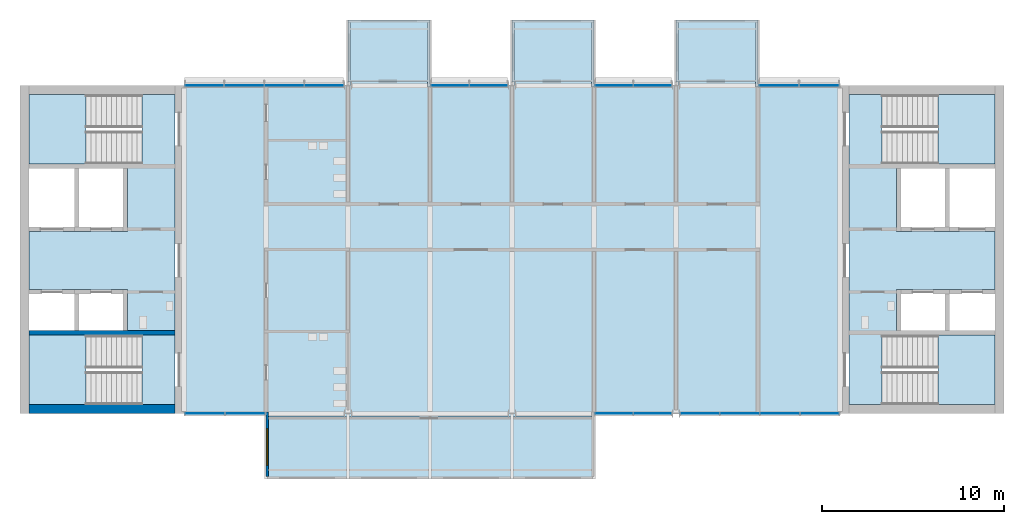
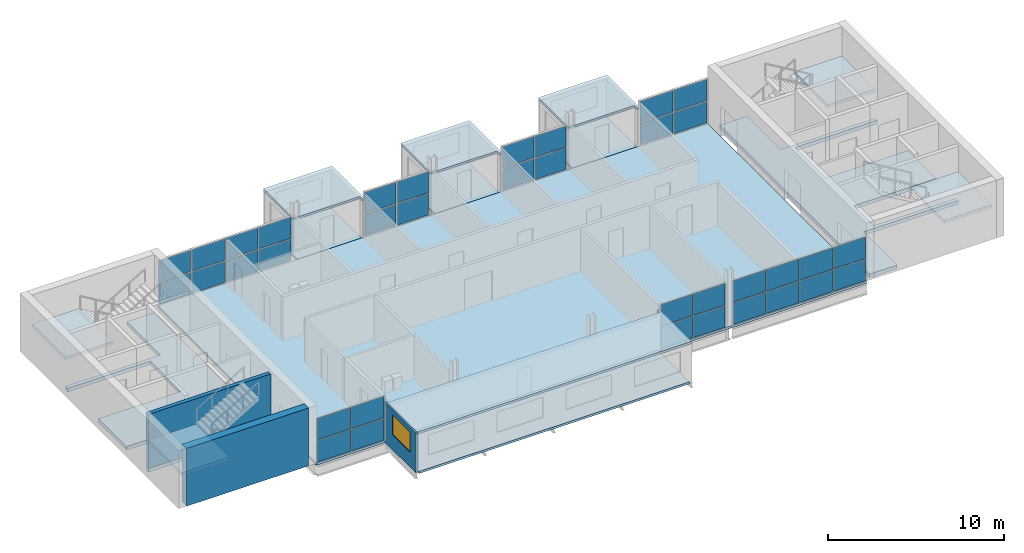
# One storey, part 4 of 11: 36 plates, 15 slabs, 3 walls, 1 window, 1 opening, 11 elements without a shape of their own.
"""IFC4 building model written with IfcOpenShell, lengths in metres."""

import ifcopenshell
import ifcopenshell.guid

model = None  # the IFC model being written
_history = None  # IfcOwnerHistory: only IFC2X3 demands one
_inside = {}  # id of a spatial element -> (the spatial element, [elements in it])
_under = {}  # id of a project, library or spatial element -> (it, [spatial elements below it])
_declared = {}  # id of a project -> (the project, [libraries it declares])
_typed = {}  # id of a type object -> (the type object, [elements of that type])
_made_of = {}  # id of a material, layer set ... -> (it, [elements and type objects made of it])


def new_model(schema):
    """Start an empty IFC model of exactly this schema.

    Asked for "IFC4X3", IfcOpenShell would pick the latest addendum, in which some entities
    have other attributes; the version numbers below select the first issue.
    IFC2X3 requires an IfcOwnerHistory on every rooted entity: one is made here for all.
    """
    global model, _history
    if schema == "IFC4X3":
        model = ifcopenshell.file(schema_version=(4, 3, 0, 0))
    else:
        model = ifcopenshell.file(schema=schema)
    _inside.clear()
    _under.clear()
    _declared.clear()
    _typed.clear()
    _made_of.clear()
    _history = None
    if model.schema == "IFC2X3":
        org = make("IfcOrganization", Name="unknown")
        user = make(
            "IfcPersonAndOrganization",
            ThePerson=make("IfcPerson", FamilyName="unknown"),
            TheOrganization=org,
        )
        app = make(
            "IfcApplication",
            ApplicationDeveloper=org,
            Version="unknown",
            ApplicationFullName="unknown",
            ApplicationIdentifier="unknown",
        )
        _history = make(
            "IfcOwnerHistory",
            OwningUser=user,
            OwningApplication=app,
            ChangeAction="ADDED",
            CreationDate=0,
        )
    return model


def make(cls, **values):
    """One entity of the class cls with the attributes given. An attribute that is None is left unset."""
    return model.create_entity(
        cls, **{name: value for name, value in values.items() if value is not None}
    )


def rooted(cls, **values):
    """An entity with a GlobalId (a new one), such as an element, a storey or a relation."""
    return make(cls, GlobalId=ifcopenshell.guid.new(), OwnerHistory=_history, **values)


def si_unit(unit_type, name, prefix=None):
    """IfcSIUnit, for example si_unit("LENGTHUNIT", "METRE", prefix="MILLI")."""
    return make("IfcSIUnit", UnitType=unit_type, Prefix=prefix, Name=name)


def assignment(units):
    """IfcUnitAssignment: the units of a project."""
    return None if units is None else make("IfcUnitAssignment", Units=units)


def point(xyz):
    """IfcCartesianPoint."""
    return None if xyz is None else make("IfcCartesianPoint", Coordinates=xyz)


def direction(xyz):
    """IfcDirection."""
    return None if xyz is None else make("IfcDirection", DirectionRatios=xyz)


def frame(location, z_axis=None, x_axis=None):
    """IfcAxis2Placement3D, a coordinate frame: its origin and axes. An axis left out is left unset."""
    return make(
        "IfcAxis2Placement3D",
        Location=point(location),
        Axis=direction(z_axis),
        RefDirection=direction(x_axis),
    )


def frame_2d(location, x_axis=None):
    """IfcAxis2Placement2D, a coordinate frame in the plane: its origin and x axis."""
    return make(
        "IfcAxis2Placement2D", Location=point(location), RefDirection=direction(x_axis)
    )


def origin():
    """The frame at (0, 0, 0) with its axes left unset."""
    return frame((0.0, 0.0, 0.0))


def origin_2d():
    """The frame at (0, 0) in the plane with its x axis left unset."""
    return frame_2d((0.0, 0.0))


def place(relative_to, where):
    """IfcLocalPlacement: puts the frame where relative to a parent placement (None: the world)."""
    return make(
        "IfcLocalPlacement", PlacementRelTo=relative_to, RelativePlacement=where
    )


def context(
    kind, dimensions, precision=None, world=None, true_north=None, identifier=None
):
    """IfcGeometricRepresentationContext, for example the 3D "Model" context."""
    return make(
        "IfcGeometricRepresentationContext",
        ContextIdentifier=identifier,
        ContextType=kind,
        CoordinateSpaceDimension=dimensions,
        Precision=precision,
        WorldCoordinateSystem=world,
        TrueNorth=true_north,
    )


def subcontext(parent, identifier, kind, view, scale=None):
    """IfcGeometricRepresentationSubContext, for example "Body" below "Model"."""
    return make(
        "IfcGeometricRepresentationSubContext",
        ContextIdentifier=identifier,
        ContextType=kind,
        ParentContext=parent,
        TargetScale=scale,
        TargetView=view,
    )


def project(units=None, contexts=None):
    """IfcProject with its units and contexts."""
    return rooted(
        "IfcProject",
        Name="project",
        RepresentationContexts=contexts,
        UnitsInContext=assignment(units),
    )


def spatial(cls, under=None, at=None, **own):
    """A site, building, storey or space (cls), placed at a placement, below another one or the project."""
    s = rooted(cls, ObjectPlacement=at, **own)
    if under is not None:
        _under.setdefault(under.id(), (under, []))[1].append(s)
    return s


def polyline(points):
    """IfcPolyline through the points."""
    return make("IfcPolyline", Points=[point(p) for p in points])


def profile(cls, at=None, kind="AREA", **sizes):
    """A parametric profile (cls). Its sizes go by their IFC names, for example OverallWidth=200.0."""
    return make(cls, ProfileType=kind, Position=at, **sizes)


def rectangle(**sizes):
    """IfcRectangleProfileDef."""
    return profile("IfcRectangleProfileDef", **sizes)


def outline(outer, holes=None, kind="AREA"):
    """IfcArbitraryClosedProfileDef: a profile drawn as a closed curve; with holes, ...WithVoids."""
    if holes is None:
        return make("IfcArbitraryClosedProfileDef", ProfileType=kind, OuterCurve=outer)
    return make(
        "IfcArbitraryProfileDefWithVoids",
        ProfileType=kind,
        OuterCurve=outer,
        InnerCurves=holes,
    )


def extrude(swept, where, along, depth):
    """IfcExtrudedAreaSolid: the profile swept, set in the frame where, extruded along a direction by depth."""
    return make(
        "IfcExtrudedAreaSolid",
        SweptArea=swept,
        Position=where,
        ExtrudedDirection=direction(along),
        Depth=depth,
    )


def shape(context_of_items, identifier, shape_type, items):
    """IfcShapeRepresentation: the items that make up one representation, for example the "Body"."""
    return make(
        "IfcShapeRepresentation",
        ContextOfItems=context_of_items,
        RepresentationIdentifier=identifier,
        RepresentationType=shape_type,
        Items=items,
    )


def material(Name=None, Category=None):
    """IfcMaterial."""
    return make("IfcMaterial", Name=Name, Category=Category)


def layer(
    of_material, thickness, ventilated=None, Name=None, Category=None, Priority=None
):
    """IfcMaterialLayer: one layer of a wall or slab, of a material (None: an air gap)."""
    return make(
        "IfcMaterialLayer",
        Material=of_material,
        LayerThickness=thickness,
        IsVentilated=ventilated,
        Name=Name,
        Category=Category,
        Priority=Priority,
    )


def layer_set(layers, Name=None):
    """IfcMaterialLayerSet."""
    return make("IfcMaterialLayerSet", MaterialLayers=layers, LayerSetName=Name)


def made_of(thing, what):
    """Note that an element or type object is made of a material, layer set ...; save() writes the relation."""
    if what is not None:
        _made_of.setdefault(what.id(), (what, []))[1].append(thing)
    return thing


def type_object(cls, material=None, **own):
    """A type object (cls), such as IfcWallType, which elements share."""
    return made_of(rooted(cls, **own), material)


def element(
    cls,
    number,
    at=None,
    inside=None,
    cuts=None,
    type_object=None,
    material=None,
    context=None,
    identifier="Body",
    shape_type=None,
    held_by="IfcProductDefinitionShape",
    body=None,
    shapes=None,
    **own,
):
    """One element of the class cls, such as IfcWall. Its Tag is "e" and its number.

    at: its placement. inside: the storey or other place that contains it. cuts: it is an
    opening in that element (IfcRelVoidsElement). A single representation is given by context,
    identifier, shape_type and body (its items); several are given by shapes. held_by: the class
    of the entity that holds the representations. save() writes the other relations.
    """
    e = rooted(cls, Tag="e%d" % number, ObjectPlacement=at, **own)
    if body is not None:
        shapes = [shape(context, identifier, shape_type, body)]
    if shapes is not None:
        e.Representation = make(held_by, Representations=shapes)
    if inside is not None:
        _inside.setdefault(inside.id(), (inside, []))[1].append(e)
    if cuts is not None:
        rooted(
            "IfcRelVoidsElement", RelatingBuildingElement=cuts, RelatedOpeningElement=e
        )
    if type_object is not None:
        _typed.setdefault(type_object.id(), (type_object, []))[1].append(e)
    return made_of(e, material)


def fill(opening, filler):
    """IfcRelFillsElement: the door or window that sits in an opening."""
    return rooted(
        "IfcRelFillsElement",
        RelatingOpeningElement=opening,
        RelatedBuildingElement=filler,
    )


def aggregate(whole, parts):
    """IfcRelAggregates: a whole, such as a stair, and the parts it consists of."""
    return rooted("IfcRelAggregates", RelatingObject=whole, RelatedObjects=parts)


def save(model, path):
    """Write the relations noted so far, then the file.

    IfcRelAggregates (storeys below a building ...), IfcRelContainedInSpatialStructure (elements
    in a storey), IfcRelDefinesByType, IfcRelAssociatesMaterial and IfcRelDeclares: one each for
    every whole, place, type object, material and project.
    """
    for whole, parts in _under.values():
        aggregate(whole, parts)
    for where, things in _inside.values():
        rooted(
            "IfcRelContainedInSpatialStructure",
            RelatedElements=things,
            RelatingStructure=where,
        )
    for kind, things in _typed.values():
        rooted("IfcRelDefinesByType", RelatedObjects=things, RelatingType=kind)
    for what, things in _made_of.values():
        rooted("IfcRelAssociatesMaterial", RelatedObjects=things, RelatingMaterial=what)
    for by, libraries in _declared.values():
        rooted("IfcRelDeclares", RelatingContext=by, RelatedDefinitions=libraries)
    model.write(path)


model = new_model("IFC4")

# Units and contexts
model_context = context("Model", 3, precision=1e-05, world=origin(), true_north=direction((0.0, 1.0)))
body_context = subcontext(model_context, "Body", "Model", "MODEL_VIEW")
ifc_project = project(units=[si_unit("LENGTHUNIT", "METRE"), si_unit("AREAUNIT", "SQUARE_METRE"), si_unit("VOLUMEUNIT", "CUBIC_METRE"), si_unit("PLANEANGLEUNIT", "RADIAN"), si_unit("MASSUNIT", "GRAM", prefix="KILO")], contexts=[model_context])

# Site, building, storey
site_placement = place(None, origin())
site = spatial("IfcSite", under=ifc_project, at=site_placement, CompositionType="ELEMENT")
building_placement = place(site_placement, origin())
building = spatial("IfcBuilding", under=site, at=building_placement, Name="Corbel Yard City Hall", CompositionType="ELEMENT")
storey_placement = place(building_placement, frame((0.0, 0.0, 39.199951171875)))
storey = spatial("IfcBuildingStorey", under=building, at=storey_placement, Name="L09", CompositionType="ELEMENT", Elevation=39.199951171875)

# Slabs
ifc_material_1 = material(Name="Concrete N40 (40 MPa)", Category="concrete")
ifc_layer_1 = layer(ifc_material_1, 0.25)
ifc_layer_set_1 = layer_set([ifc_layer_1], Name="Concrete N40 (40 MPa)")
slab_type_1 = type_object("IfcSlabType", Name="CF1", PredefinedType="FLOOR", material=ifc_layer_set_1)
slab_1_placement = place(storey_placement, frame((0.0, 0.0, -0.25)))
element("IfcSlab", 1, at=slab_1_placement, inside=storey, type_object=slab_type_1, Name="Core floor slab", PredefinedType="FLOOR", context=body_context, shape_type="SweptSolid", body=[
    extrude(outline(polyline([(8.5, 116.5), (6.698974609375, 116.5), (6.698974609375, 112.699951171875), (0.5, 112.699951171875), (0.5, 112.449951171875), (5.89990234375, 112.449951171875), (5.89990234375, 109.0), (0.5, 109.0), (0.5, 105.800048828125), (5.89990234375, 105.800048828125), (5.89990234375, 103.550048828125), (0.5, 103.550048828125), (0.5, 103.300048828125), (6.698974609375, 103.300048828125), (6.698974609375, 99.5), (8.5, 99.5), (8.5, 116.5)])), origin(), (0.0, 0.0, 1.0), 0.25),
])
slab_2_placement = place(storey_placement, frame((0.0, 0.0, -0.25)))
element("IfcSlab", 2, at=slab_2_placement, inside=storey, type_object=slab_type_1, Name="Core floor slab", PredefinedType="FLOOR", context=body_context, shape_type="SweptSolid", body=[
    extrude(outline(polyline([(53.5, 103.300048828125), (53.5, 103.550048828125), (48.10009765625, 103.550048828125), (48.10009765625, 105.800048828125), (53.5, 105.800048828125), (53.5, 109.0), (48.10009765625, 109.0), (48.10009765625, 112.449951171875), (53.5, 112.449951171875), (53.5, 112.699951171875), (47.301025390625, 112.699951171875), (47.301025390625, 116.5), (45.5, 116.5), (45.5, 99.5), (47.301025390625, 99.5), (47.301025390625, 103.300048828125), (53.5, 103.300048828125)])), origin(), (0.0, 0.0, 1.0), 0.25),
])
ifc_layer_2 = layer(ifc_material_1, 0.14990234375)
ifc_layer_set_2 = layer_set([ifc_layer_2], Name="Concrete N40 (40 MPa)")
slab_type_2 = type_object("IfcSlabType", Name="Floor slab 150", PredefinedType="FLOOR", material=ifc_layer_set_2)
slab_3_placement = place(storey_placement, frame((0.0, 0.0, -0.14990234375)))
element("IfcSlab", 3, at=slab_3_placement, inside=storey, type_object=slab_type_2, Name="Tower floor slab L09", PredefinedType="FLOOR", context=body_context, shape_type="SweptSolid", body=[
    extrude(outline(polyline([(45.0, 99.0), (45.0, 117.0), (9.0, 117.0), (9.0, 99.0), (45.0, 99.0)])), origin(), (0.0, 0.0, 1.0), 0.14990234375),
])

# Stair, slab
stair_type = type_object("IfcStairType", Name="ST4", PredefinedType="HALF_TURN_STAIR", material=ifc_material_1)
stair_1_placement = place(storey_placement, origin())
stair_1 = element("IfcStair", 4, at=stair_1_placement, inside=storey, type_object=stair_type, Name="Exit stair ST-W1 L09", PredefinedType="HALF_TURN_STAIR")
ifc_layer_3 = layer(ifc_material_1, 0.199951171875)
ifc_layer_set_3 = layer_set([ifc_layer_3], Name="Concrete N40 (40 MPa)")
slab_type_3 = type_object("IfcSlabType", Name="LN1", PredefinedType="LANDING", material=ifc_layer_set_3)
slab_4_placement = place(storey_placement, frame((0.0, 0.0, 1.800048828125)))
slab_4 = element("IfcSlab", 5, at=slab_4_placement, type_object=slab_type_3, Name="ST-W1 landing 1", PredefinedType="LANDING", context=body_context, shape_type="SweptSolid", body=[
    extrude(outline(polyline([(0.5, 99.5), (3.6201171875, 99.5), (3.6201171875, 103.300048828125), (0.5, 103.300048828125), (0.5, 99.5)])), origin(), (0.0, 0.0, 1.0), 0.199951171875),
])
aggregate(stair_1, [slab_4])

stair_2_placement = place(storey_placement, origin())
stair_2 = element("IfcStair", 6, at=stair_2_placement, inside=storey, type_object=stair_type, Name="Exit stair ST-W2 L09", PredefinedType="HALF_TURN_STAIR")
slab_5_placement = place(storey_placement, frame((0.0, 0.0, 1.800048828125)))
slab_5 = element("IfcSlab", 7, at=slab_5_placement, type_object=slab_type_3, Name="ST-W2 landing 1", PredefinedType="LANDING", context=body_context, shape_type="SweptSolid", body=[
    extrude(outline(polyline([(0.5, 112.699951171875), (3.6201171875, 112.699951171875), (3.6201171875, 116.5), (0.5, 116.5), (0.5, 112.699951171875)])), origin(), (0.0, 0.0, 1.0), 0.199951171875),
])
aggregate(stair_2, [slab_5])

stair_3_placement = place(storey_placement, origin())
stair_3 = element("IfcStair", 8, at=stair_3_placement, inside=storey, type_object=stair_type, Name="Exit stair ST-E1 L09", PredefinedType="HALF_TURN_STAIR")
slab_6_placement = place(storey_placement, frame((0.0, 0.0, 1.800048828125)))
slab_6 = element("IfcSlab", 9, at=slab_6_placement, type_object=slab_type_3, Name="ST-E1 landing 1", PredefinedType="LANDING", context=body_context, shape_type="SweptSolid", body=[
    extrude(outline(polyline([(50.3798828125, 99.5), (53.5, 99.5), (53.5, 103.300048828125), (50.3798828125, 103.300048828125), (50.3798828125, 99.5)])), origin(), (0.0, 0.0, 1.0), 0.199951171875),
])
aggregate(stair_3, [slab_6])

stair_4_placement = place(storey_placement, origin())
stair_4 = element("IfcStair", 10, at=stair_4_placement, inside=storey, type_object=stair_type, Name="Exit stair ST-E2 L09", PredefinedType="HALF_TURN_STAIR")
slab_7_placement = place(storey_placement, frame((0.0, 0.0, 1.800048828125)))
slab_7 = element("IfcSlab", 11, at=slab_7_placement, type_object=slab_type_3, Name="ST-E2 landing 1", PredefinedType="LANDING", context=body_context, shape_type="SweptSolid", body=[
    extrude(outline(polyline([(50.3798828125, 112.699951171875), (53.5, 112.699951171875), (53.5, 116.5), (50.3798828125, 116.5), (50.3798828125, 112.699951171875)])), origin(), (0.0, 0.0, 1.0), 0.199951171875),
])
aggregate(stair_4, [slab_7])

# Slabs
ifc_material_2 = material(Name="Concrete N32 (32 MPa)", Category="concrete")
ifc_layer_4 = layer(ifc_material_2, 0.14990234375)
ifc_layer_set_4 = layer_set([ifc_layer_4], Name="Concrete N32 (32 MPa)")
slab_type_4 = type_object("IfcSlabType", Name="PF1", PredefinedType="FLOOR", material=ifc_layer_set_4)
slab_8_placement = place(storey_placement, frame((0.0, 0.0, -0.14990234375)))
element("IfcSlab", 12, at=slab_8_placement, inside=storey, type_object=slab_type_4, Name="Pod floor slab L09", PredefinedType="FLOOR", context=body_context, shape_type="SweptSolid", body=[
    extrude(outline(polyline([(13.64990234375, 95.39990234375), (31.35009765625, 95.39990234375), (31.35009765625, 99.0), (13.64990234375, 99.0), (13.64990234375, 95.39990234375)])), origin(), (0.0, 0.0, 1.0), 0.14990234375),
])
slab_9_placement = place(storey_placement, frame((0.0, 0.0, -0.14990234375)))
element("IfcSlab", 13, at=slab_9_placement, inside=storey, type_object=slab_type_4, Name="Pod floor slab L09", PredefinedType="FLOOR", context=body_context, shape_type="SweptSolid", body=[
    extrude(outline(polyline([(18.14990234375, 117.0), (22.35009765625, 117.0), (22.35009765625, 120.60009765625), (18.14990234375, 120.60009765625), (18.14990234375, 117.0)])), origin(), (0.0, 0.0, 1.0), 0.14990234375),
])
slab_10_placement = place(storey_placement, frame((0.0, 0.0, -0.14990234375)))
element("IfcSlab", 14, at=slab_10_placement, inside=storey, type_object=slab_type_4, Name="Pod floor slab L09", PredefinedType="FLOOR", context=body_context, shape_type="SweptSolid", body=[
    extrude(outline(polyline([(27.14990234375, 117.0), (31.35009765625, 117.0), (31.35009765625, 120.60009765625), (27.14990234375, 120.60009765625), (27.14990234375, 117.0)])), origin(), (0.0, 0.0, 1.0), 0.14990234375),
])
slab_11_placement = place(storey_placement, frame((0.0, 0.0, -0.14990234375)))
element("IfcSlab", 15, at=slab_11_placement, inside=storey, type_object=slab_type_4, Name="Pod floor slab L09", PredefinedType="FLOOR", context=body_context, shape_type="SweptSolid", body=[
    extrude(outline(polyline([(36.14990234375, 117.0), (40.35009765625, 117.0), (40.35009765625, 120.60009765625), (36.14990234375, 120.60009765625), (36.14990234375, 117.0)])), origin(), (0.0, 0.0, 1.0), 0.14990234375),
])
ifc_layer_5 = layer(ifc_material_2, 0.14990234375)
ifc_layer_set_5 = layer_set([ifc_layer_5], Name="Concrete N32 (32 MPa)")
slab_type_5 = type_object("IfcSlabType", Name="PH1", PredefinedType="ROOF", material=ifc_layer_set_5)
slab_12_placement = place(storey_placement, frame((0.0, 0.0, 2.60009765625)))
element("IfcSlab", 16, at=slab_12_placement, inside=storey, type_object=slab_type_5, Name="Pod roof slab L09", PredefinedType="ROOF", context=body_context, shape_type="SweptSolid", body=[
    extrude(outline(polyline([(13.5, 95.39990234375), (31.5, 95.39990234375), (31.5, 99.074951171875), (31.35009765625, 99.074951171875), (31.35009765625, 98.800048828125), (13.64990234375, 98.800048828125), (13.64990234375, 99.074951171875), (13.5, 99.074951171875), (13.5, 95.39990234375)])), origin(), (0.0, 0.0, 1.0), 0.14990234375),
])
slab_13_placement = place(storey_placement, frame((0.0, 0.0, 2.60009765625)))
element("IfcSlab", 17, at=slab_13_placement, inside=storey, type_object=slab_type_5, Name="Pod roof slab L09", PredefinedType="ROOF", context=body_context, shape_type="SweptSolid", body=[
    extrude(outline(polyline([(18.0, 120.60009765625), (18.0, 117.199951171875), (22.35009765625, 117.199951171875), (22.35009765625, 116.909912109375), (22.5, 116.909912109375), (22.5, 120.60009765625), (18.0, 120.60009765625)])), origin(), (0.0, 0.0, 1.0), 0.14990234375),
])
slab_14_placement = place(storey_placement, frame((0.0, 0.0, 2.60009765625)))
element("IfcSlab", 18, at=slab_14_placement, inside=storey, type_object=slab_type_5, Name="Pod roof slab L09", PredefinedType="ROOF", context=body_context, shape_type="SweptSolid", body=[
    extrude(outline(polyline([(27.0, 120.60009765625), (27.0, 117.199951171875), (31.35009765625, 117.199951171875), (31.35009765625, 116.909912109375), (31.5, 116.909912109375), (31.5, 120.60009765625), (27.0, 120.60009765625)])), origin(), (0.0, 0.0, 1.0), 0.14990234375),
])
slab_15_placement = place(storey_placement, frame((0.0, 0.0, 2.60009765625)))
element("IfcSlab", 19, at=slab_15_placement, inside=storey, type_object=slab_type_5, Name="Pod roof slab L09", PredefinedType="ROOF", context=body_context, shape_type="SweptSolid", body=[
    extrude(outline(polyline([(36.0, 120.60009765625), (36.0, 117.199951171875), (40.35009765625, 117.199951171875), (40.35009765625, 116.909912109375), (40.5, 116.909912109375), (40.5, 120.60009765625), (36.0, 120.60009765625)])), origin(), (0.0, 0.0, 1.0), 0.14990234375),
])

# Curtain wall, plates
ifc_material_3 = material(Name="Aluminium extrusion", Category="aluminium")
ifc_layer_6 = layer(ifc_material_3, 0.14990234375)
ifc_layer_set_6 = layer_set([ifc_layer_6], Name="Aluminium extrusion")
curtain_wall_type_1 = type_object("IfcCurtainWallType", Name="CW2", PredefinedType="USERDEFINED", material=ifc_layer_set_6)
curtain_wall_1_placement = place(storey_placement, origin())
curtain_wall_1 = element("IfcCurtainWall", 20, at=curtain_wall_1_placement, inside=storey, type_object=curtain_wall_type_1, Name="Curtain wall CW2 L09", ObjectType="CURTAIN WALL", PredefinedType="USERDEFINED")
ifc_material_4 = material(Name="Double glazed low-e glass unit", Category="glass")
ifc_layer_7 = layer(ifc_material_4, 0.028076171875)
ifc_layer_set_7 = layer_set([ifc_layer_7], Name="Double glazed low-e glass unit")
plate_type_1 = type_object("IfcPlateType", Name="PN2", PredefinedType="CURTAIN_PANEL", material=ifc_layer_set_7)
plate_1_placement = place(storey_placement, frame((10.141357421875, 99.0, 0.06494140625), z_axis=(0.0, 0.0, 1.0), x_axis=(1.0, 0.0, 0.0)))
plate_1 = element("IfcPlate", 21, at=plate_1_placement, type_object=plate_type_1, Name="CW2 panel 1.1", PredefinedType="CURTAIN_PANEL", context=body_context, shape_type="SweptSolid", body=[
    extrude(rectangle(XDim=2.152587890625, YDim=0.028076171875, at=origin_2d()), origin(), (0.0, 0.0, 1.0), 1.4775390625),
])
plate_2_placement = place(storey_placement, frame((10.141357421875, 99.0, 1.607421875), z_axis=(0.0, 0.0, 1.0), x_axis=(1.0, 0.0, 0.0)))
plate_2 = element("IfcPlate", 22, at=plate_2_placement, type_object=plate_type_1, Name="CW2 panel 1.2", PredefinedType="CURTAIN_PANEL", context=body_context, shape_type="SweptSolid", body=[
    extrude(rectangle(XDim=2.152587890625, YDim=0.028076171875, at=origin_2d()), origin(), (0.0, 0.0, 1.0), 1.4775390625),
])
plate_3_placement = place(storey_placement, frame((12.358642578125, 99.0, 0.06494140625), z_axis=(0.0, 0.0, 1.0), x_axis=(1.0, 0.0, 0.0)))
plate_3 = element("IfcPlate", 23, at=plate_3_placement, type_object=plate_type_1, Name="CW2 panel 2.1", PredefinedType="CURTAIN_PANEL", context=body_context, shape_type="SweptSolid", body=[
    extrude(rectangle(XDim=2.152587890625, YDim=0.028076171875, at=origin_2d()), origin(), (0.0, 0.0, 1.0), 1.4775390625),
])
plate_4_placement = place(storey_placement, frame((12.358642578125, 99.0, 1.607421875), z_axis=(0.0, 0.0, 1.0), x_axis=(1.0, 0.0, 0.0)))
plate_4 = element("IfcPlate", 24, at=plate_4_placement, type_object=plate_type_1, Name="CW2 panel 2.2", PredefinedType="CURTAIN_PANEL", context=body_context, shape_type="SweptSolid", body=[
    extrude(rectangle(XDim=2.152587890625, YDim=0.028076171875, at=origin_2d()), origin(), (0.0, 0.0, 1.0), 1.4775390625),
])
aggregate(curtain_wall_1, [plate_1, plate_2, plate_3, plate_4])

curtain_wall_2_placement = place(storey_placement, origin())
curtain_wall_2 = element("IfcCurtainWall", 25, at=curtain_wall_2_placement, inside=storey, type_object=curtain_wall_type_1, Name="Curtain wall CW2 L09", ObjectType="CURTAIN WALL", PredefinedType="USERDEFINED")
plate_5_placement = place(storey_placement, frame((32.589599609375, 99.0, 0.06494140625), z_axis=(0.0, 0.0, 1.0), x_axis=(1.0, 0.0, 0.0)))
plate_5 = element("IfcPlate", 26, at=plate_5_placement, type_object=plate_type_1, Name="CW2 panel 1.1", PredefinedType="CURTAIN_PANEL", context=body_context, shape_type="SweptSolid", body=[
    extrude(rectangle(XDim=2.049072265625, YDim=0.028076171875, at=origin_2d()), origin(), (0.0, 0.0, 1.0), 1.4775390625),
])
plate_6_placement = place(storey_placement, frame((32.589599609375, 99.0, 1.607421875), z_axis=(0.0, 0.0, 1.0), x_axis=(1.0, 0.0, 0.0)))
plate_6 = element("IfcPlate", 27, at=plate_6_placement, type_object=plate_type_1, Name="CW2 panel 1.2", PredefinedType="CURTAIN_PANEL", context=body_context, shape_type="SweptSolid", body=[
    extrude(rectangle(XDim=2.049072265625, YDim=0.028076171875, at=origin_2d()), origin(), (0.0, 0.0, 1.0), 1.4775390625),
])
plate_7_placement = place(storey_placement, frame((34.70361328125, 99.0, 0.06494140625), z_axis=(0.0, 0.0, 1.0), x_axis=(1.0, 0.0, 0.0)))
plate_7 = element("IfcPlate", 28, at=plate_7_placement, type_object=plate_type_1, Name="CW2 panel 2.1", PredefinedType="CURTAIN_PANEL", context=body_context, shape_type="SweptSolid", body=[
    extrude(rectangle(XDim=2.049072265625, YDim=0.028076171875, at=origin_2d()), origin(), (0.0, 0.0, 1.0), 1.4775390625),
])
plate_8_placement = place(storey_placement, frame((34.70361328125, 99.0, 1.607421875), z_axis=(0.0, 0.0, 1.0), x_axis=(1.0, 0.0, 0.0)))
plate_8 = element("IfcPlate", 29, at=plate_8_placement, type_object=plate_type_1, Name="CW2 panel 2.2", PredefinedType="CURTAIN_PANEL", context=body_context, shape_type="SweptSolid", body=[
    extrude(rectangle(XDim=2.049072265625, YDim=0.028076171875, at=origin_2d()), origin(), (0.0, 0.0, 1.0), 1.4775390625),
])
aggregate(curtain_wall_2, [plate_5, plate_6, plate_7, plate_8])

curtain_wall_3_placement = place(storey_placement, origin())
curtain_wall_3 = element("IfcCurtainWall", 30, at=curtain_wall_3_placement, inside=storey, type_object=curtain_wall_type_1, Name="Curtain wall CW2 L09", ObjectType="CURTAIN WALL", PredefinedType="USERDEFINED")
plate_9_placement = place(storey_placement, frame((37.322265625, 99.0, 0.06494140625), z_axis=(0.0, 0.0, 1.0), x_axis=(1.0, 0.0, 0.0)))
plate_9 = element("IfcPlate", 31, at=plate_9_placement, type_object=plate_type_1, Name="CW2 panel 1.1", PredefinedType="CURTAIN_PANEL", context=body_context, shape_type="SweptSolid", body=[
    extrude(rectangle(XDim=2.100830078125, YDim=0.028076171875, at=origin_2d()), origin(), (0.0, 0.0, 1.0), 1.4775390625),
])
plate_10_placement = place(storey_placement, frame((37.322265625, 99.0, 1.607421875), z_axis=(0.0, 0.0, 1.0), x_axis=(1.0, 0.0, 0.0)))
plate_10 = element("IfcPlate", 32, at=plate_10_placement, type_object=plate_type_1, Name="CW2 panel 1.2", PredefinedType="CURTAIN_PANEL", context=body_context, shape_type="SweptSolid", body=[
    extrude(rectangle(XDim=2.100830078125, YDim=0.028076171875, at=origin_2d()), origin(), (0.0, 0.0, 1.0), 1.4775390625),
])
plate_11_placement = place(storey_placement, frame((39.50439453125, 99.0, 0.06494140625), z_axis=(0.0, 0.0, 1.0), x_axis=(1.0, 0.0, 0.0)))
plate_11 = element("IfcPlate", 33, at=plate_11_placement, type_object=plate_type_1, Name="CW2 panel 2.1", PredefinedType="CURTAIN_PANEL", context=body_context, shape_type="SweptSolid", body=[
    extrude(rectangle(XDim=2.13330078125, YDim=0.028076171875, at=origin_2d()), origin(), (0.0, 0.0, 1.0), 1.4775390625),
])
plate_12_placement = place(storey_placement, frame((39.50439453125, 99.0, 1.607421875), z_axis=(0.0, 0.0, 1.0), x_axis=(1.0, 0.0, 0.0)))
plate_12 = element("IfcPlate", 34, at=plate_12_placement, type_object=plate_type_1, Name="CW2 panel 2.2", PredefinedType="CURTAIN_PANEL", context=body_context, shape_type="SweptSolid", body=[
    extrude(rectangle(XDim=2.13330078125, YDim=0.028076171875, at=origin_2d()), origin(), (0.0, 0.0, 1.0), 1.4775390625),
])
plate_13_placement = place(storey_placement, frame((41.70263671875, 99.0, 0.06494140625), z_axis=(0.0, 0.0, 1.0), x_axis=(1.0, 0.0, 0.0)))
plate_13 = element("IfcPlate", 35, at=plate_13_placement, type_object=plate_type_1, Name="CW2 panel 3.1", PredefinedType="CURTAIN_PANEL", context=body_context, shape_type="SweptSolid", body=[
    extrude(rectangle(XDim=2.13330078125, YDim=0.028076171875, at=origin_2d()), origin(), (0.0, 0.0, 1.0), 1.4775390625),
])
plate_14_placement = place(storey_placement, frame((41.70263671875, 99.0, 1.607421875), z_axis=(0.0, 0.0, 1.0), x_axis=(1.0, 0.0, 0.0)))
plate_14 = element("IfcPlate", 36, at=plate_14_placement, type_object=plate_type_1, Name="CW2 panel 3.2", PredefinedType="CURTAIN_PANEL", context=body_context, shape_type="SweptSolid", body=[
    extrude(rectangle(XDim=2.13330078125, YDim=0.028076171875, at=origin_2d()), origin(), (0.0, 0.0, 1.0), 1.4775390625),
])
plate_15_placement = place(storey_placement, frame((43.884521484375, 99.0, 0.06494140625), z_axis=(0.0, 0.0, 1.0), x_axis=(1.0, 0.0, 0.0)))
plate_15 = element("IfcPlate", 37, at=plate_15_placement, type_object=plate_type_1, Name="CW2 panel 4.1", PredefinedType="CURTAIN_PANEL", context=body_context, shape_type="SweptSolid", body=[
    extrude(rectangle(XDim=2.100830078125, YDim=0.028076171875, at=origin_2d()), origin(), (0.0, 0.0, 1.0), 1.4775390625),
])
plate_16_placement = place(storey_placement, frame((43.884521484375, 99.0, 1.607421875), z_axis=(0.0, 0.0, 1.0), x_axis=(1.0, 0.0, 0.0)))
plate_16 = element("IfcPlate", 38, at=plate_16_placement, type_object=plate_type_1, Name="CW2 panel 4.2", PredefinedType="CURTAIN_PANEL", context=body_context, shape_type="SweptSolid", body=[
    extrude(rectangle(XDim=2.100830078125, YDim=0.028076171875, at=origin_2d()), origin(), (0.0, 0.0, 1.0), 1.4775390625),
])
aggregate(curtain_wall_3, [plate_9, plate_10, plate_11, plate_12, plate_13, plate_14, plate_15, plate_16])

ifc_layer_8 = layer(ifc_material_3, 0.179931640625)
ifc_layer_set_8 = layer_set([ifc_layer_8], Name="Aluminium extrusion")
curtain_wall_type_2 = type_object("IfcCurtainWallType", Name="CW6", PredefinedType="USERDEFINED", material=ifc_layer_set_8)
curtain_wall_4_placement = place(storey_placement, origin())
curtain_wall_4 = element("IfcCurtainWall", 39, at=curtain_wall_4_placement, inside=storey, type_object=curtain_wall_type_2, Name="Curtain wall CW6 L09", ObjectType="CURTAIN WALL", PredefinedType="USERDEFINED")
ifc_material_5 = material(Name="Double glazed low-e glass unit, ceramic fritted", Category="glass")
ifc_layer_9 = layer(ifc_material_5, 0.02392578125)
ifc_layer_set_9 = layer_set([ifc_layer_9], Name="Double glazed low-e glass unit, ceramic fritted")
plate_type_2 = type_object("IfcPlateType", Name="PN7", PredefinedType="CURTAIN_PANEL", material=ifc_layer_set_9)
plate_17_placement = place(storey_placement, frame((10.115478515625, 117.0, 0.06494140625), z_axis=(0.0, 0.0, 1.0), x_axis=(1.0, 0.0, 0.0)))
plate_17 = element("IfcPlate", 40, at=plate_17_placement, type_object=plate_type_2, Name="CW6 panel 1.1", PredefinedType="CURTAIN_PANEL", context=body_context, shape_type="SweptSolid", body=[
    extrude(rectangle(XDim=2.100830078125, YDim=0.02392578125, at=origin_2d()), origin(), (0.0, 0.0, 1.0), 1.4775390625),
])
plate_18_placement = place(storey_placement, frame((10.115478515625, 117.0, 1.607421875), z_axis=(0.0, 0.0, 1.0), x_axis=(1.0, 0.0, 0.0)))
plate_18 = element("IfcPlate", 41, at=plate_18_placement, type_object=plate_type_2, Name="CW6 panel 1.2", PredefinedType="CURTAIN_PANEL", context=body_context, shape_type="SweptSolid", body=[
    extrude(rectangle(XDim=2.100830078125, YDim=0.02392578125, at=origin_2d()), origin(), (0.0, 0.0, 1.0), 1.4775390625),
])
plate_19_placement = place(storey_placement, frame((12.29736328125, 117.0, 0.06494140625), z_axis=(0.0, 0.0, 1.0), x_axis=(1.0, 0.0, 0.0)))
plate_19 = element("IfcPlate", 42, at=plate_19_placement, type_object=plate_type_2, Name="CW6 panel 2.1", PredefinedType="CURTAIN_PANEL", context=body_context, shape_type="SweptSolid", body=[
    extrude(rectangle(XDim=2.13330078125, YDim=0.02392578125, at=origin_2d()), origin(), (0.0, 0.0, 1.0), 1.4775390625),
])
plate_20_placement = place(storey_placement, frame((12.29736328125, 117.0, 1.607421875), z_axis=(0.0, 0.0, 1.0), x_axis=(1.0, 0.0, 0.0)))
plate_20 = element("IfcPlate", 43, at=plate_20_placement, type_object=plate_type_2, Name="CW6 panel 2.2", PredefinedType="CURTAIN_PANEL", context=body_context, shape_type="SweptSolid", body=[
    extrude(rectangle(XDim=2.13330078125, YDim=0.02392578125, at=origin_2d()), origin(), (0.0, 0.0, 1.0), 1.4775390625),
])
plate_21_placement = place(storey_placement, frame((14.49560546875, 117.0, 0.06494140625), z_axis=(0.0, 0.0, 1.0), x_axis=(1.0, 0.0, 0.0)))
plate_21 = element("IfcPlate", 44, at=plate_21_placement, type_object=plate_type_2, Name="CW6 panel 3.1", PredefinedType="CURTAIN_PANEL", context=body_context, shape_type="SweptSolid", body=[
    extrude(rectangle(XDim=2.13330078125, YDim=0.02392578125, at=origin_2d()), origin(), (0.0, 0.0, 1.0), 1.4775390625),
])
plate_22_placement = place(storey_placement, frame((14.49560546875, 117.0, 1.607421875), z_axis=(0.0, 0.0, 1.0), x_axis=(1.0, 0.0, 0.0)))
plate_22 = element("IfcPlate", 45, at=plate_22_placement, type_object=plate_type_2, Name="CW6 panel 3.2", PredefinedType="CURTAIN_PANEL", context=body_context, shape_type="SweptSolid", body=[
    extrude(rectangle(XDim=2.13330078125, YDim=0.02392578125, at=origin_2d()), origin(), (0.0, 0.0, 1.0), 1.4775390625),
])
plate_23_placement = place(storey_placement, frame((16.677734375, 117.0, 0.06494140625), z_axis=(0.0, 0.0, 1.0), x_axis=(1.0, 0.0, 0.0)))
plate_23 = element("IfcPlate", 46, at=plate_23_placement, type_object=plate_type_2, Name="CW6 panel 4.1", PredefinedType="CURTAIN_PANEL", context=body_context, shape_type="SweptSolid", body=[
    extrude(rectangle(XDim=2.100830078125, YDim=0.02392578125, at=origin_2d()), origin(), (0.0, 0.0, 1.0), 1.4775390625),
])
plate_24_placement = place(storey_placement, frame((16.677734375, 117.0, 1.607421875), z_axis=(0.0, 0.0, 1.0), x_axis=(1.0, 0.0, 0.0)))
plate_24 = element("IfcPlate", 47, at=plate_24_placement, type_object=plate_type_2, Name="CW6 panel 4.2", PredefinedType="CURTAIN_PANEL", context=body_context, shape_type="SweptSolid", body=[
    extrude(rectangle(XDim=2.100830078125, YDim=0.02392578125, at=origin_2d()), origin(), (0.0, 0.0, 1.0), 1.4775390625),
])
aggregate(curtain_wall_4, [plate_17, plate_18, plate_19, plate_20, plate_21, plate_22, plate_23, plate_24])

curtain_wall_5_placement = place(storey_placement, origin())
curtain_wall_5 = element("IfcCurtainWall", 48, at=curtain_wall_5_placement, inside=storey, type_object=curtain_wall_type_2, Name="Curtain wall CW6 L09", ObjectType="CURTAIN WALL", PredefinedType="USERDEFINED")
plate_25_placement = place(storey_placement, frame((23.589599609375, 117.0, 0.06494140625), z_axis=(0.0, 0.0, 1.0), x_axis=(1.0, 0.0, 0.0)))
plate_25 = element("IfcPlate", 49, at=plate_25_placement, type_object=plate_type_2, Name="CW6 panel 1.1", PredefinedType="CURTAIN_PANEL", context=body_context, shape_type="SweptSolid", body=[
    extrude(rectangle(XDim=2.049072265625, YDim=0.02392578125, at=origin_2d()), origin(), (0.0, 0.0, 1.0), 1.4775390625),
])
plate_26_placement = place(storey_placement, frame((23.589599609375, 117.0, 1.607421875), z_axis=(0.0, 0.0, 1.0), x_axis=(1.0, 0.0, 0.0)))
plate_26 = element("IfcPlate", 50, at=plate_26_placement, type_object=plate_type_2, Name="CW6 panel 1.2", PredefinedType="CURTAIN_PANEL", context=body_context, shape_type="SweptSolid", body=[
    extrude(rectangle(XDim=2.049072265625, YDim=0.02392578125, at=origin_2d()), origin(), (0.0, 0.0, 1.0), 1.4775390625),
])
plate_27_placement = place(storey_placement, frame((25.70361328125, 117.0, 0.06494140625), z_axis=(0.0, 0.0, 1.0), x_axis=(1.0, 0.0, 0.0)))
plate_27 = element("IfcPlate", 51, at=plate_27_placement, type_object=plate_type_2, Name="CW6 panel 2.1", PredefinedType="CURTAIN_PANEL", context=body_context, shape_type="SweptSolid", body=[
    extrude(rectangle(XDim=2.049072265625, YDim=0.02392578125, at=origin_2d()), origin(), (0.0, 0.0, 1.0), 1.4775390625),
])
plate_28_placement = place(storey_placement, frame((25.70361328125, 117.0, 1.607421875), z_axis=(0.0, 0.0, 1.0), x_axis=(1.0, 0.0, 0.0)))
plate_28 = element("IfcPlate", 52, at=plate_28_placement, type_object=plate_type_2, Name="CW6 panel 2.2", PredefinedType="CURTAIN_PANEL", context=body_context, shape_type="SweptSolid", body=[
    extrude(rectangle(XDim=2.049072265625, YDim=0.02392578125, at=origin_2d()), origin(), (0.0, 0.0, 1.0), 1.4775390625),
])
aggregate(curtain_wall_5, [plate_25, plate_26, plate_27, plate_28])

curtain_wall_6_placement = place(storey_placement, origin())
curtain_wall_6 = element("IfcCurtainWall", 53, at=curtain_wall_6_placement, inside=storey, type_object=curtain_wall_type_2, Name="Curtain wall CW6 L09", ObjectType="CURTAIN WALL", PredefinedType="USERDEFINED")
plate_29_placement = place(storey_placement, frame((32.589599609375, 117.0, 0.06494140625), z_axis=(0.0, 0.0, 1.0), x_axis=(1.0, 0.0, 0.0)))
plate_29 = element("IfcPlate", 54, at=plate_29_placement, type_object=plate_type_2, Name="CW6 panel 1.1", PredefinedType="CURTAIN_PANEL", context=body_context, shape_type="SweptSolid", body=[
    extrude(rectangle(XDim=2.049072265625, YDim=0.02392578125, at=origin_2d()), origin(), (0.0, 0.0, 1.0), 1.4775390625),
])
plate_30_placement = place(storey_placement, frame((32.589599609375, 117.0, 1.607421875), z_axis=(0.0, 0.0, 1.0), x_axis=(1.0, 0.0, 0.0)))
plate_30 = element("IfcPlate", 55, at=plate_30_placement, type_object=plate_type_2, Name="CW6 panel 1.2", PredefinedType="CURTAIN_PANEL", context=body_context, shape_type="SweptSolid", body=[
    extrude(rectangle(XDim=2.049072265625, YDim=0.02392578125, at=origin_2d()), origin(), (0.0, 0.0, 1.0), 1.4775390625),
])
plate_31_placement = place(storey_placement, frame((34.70361328125, 117.0, 0.06494140625), z_axis=(0.0, 0.0, 1.0), x_axis=(1.0, 0.0, 0.0)))
plate_31 = element("IfcPlate", 56, at=plate_31_placement, type_object=plate_type_2, Name="CW6 panel 2.1", PredefinedType="CURTAIN_PANEL", context=body_context, shape_type="SweptSolid", body=[
    extrude(rectangle(XDim=2.049072265625, YDim=0.02392578125, at=origin_2d()), origin(), (0.0, 0.0, 1.0), 1.4775390625),
])
plate_32_placement = place(storey_placement, frame((34.70361328125, 117.0, 1.607421875), z_axis=(0.0, 0.0, 1.0), x_axis=(1.0, 0.0, 0.0)))
plate_32 = element("IfcPlate", 57, at=plate_32_placement, type_object=plate_type_2, Name="CW6 panel 2.2", PredefinedType="CURTAIN_PANEL", context=body_context, shape_type="SweptSolid", body=[
    extrude(rectangle(XDim=2.049072265625, YDim=0.02392578125, at=origin_2d()), origin(), (0.0, 0.0, 1.0), 1.4775390625),
])
aggregate(curtain_wall_6, [plate_29, plate_30, plate_31, plate_32])

curtain_wall_7_placement = place(storey_placement, origin())
curtain_wall_7 = element("IfcCurtainWall", 58, at=curtain_wall_7_placement, inside=storey, type_object=curtain_wall_type_2, Name="Curtain wall CW6 L09", ObjectType="CURTAIN WALL", PredefinedType="USERDEFINED")
plate_33_placement = place(storey_placement, frame((41.641357421875, 117.0, 0.06494140625), z_axis=(0.0, 0.0, 1.0), x_axis=(1.0, 0.0, 0.0)))
plate_33 = element("IfcPlate", 59, at=plate_33_placement, type_object=plate_type_2, Name="CW6 panel 1.1", PredefinedType="CURTAIN_PANEL", context=body_context, shape_type="SweptSolid", body=[
    extrude(rectangle(XDim=2.152587890625, YDim=0.02392578125, at=origin_2d()), origin(), (0.0, 0.0, 1.0), 1.4775390625),
])
plate_34_placement = place(storey_placement, frame((41.641357421875, 117.0, 1.607421875), z_axis=(0.0, 0.0, 1.0), x_axis=(1.0, 0.0, 0.0)))
plate_34 = element("IfcPlate", 60, at=plate_34_placement, type_object=plate_type_2, Name="CW6 panel 1.2", PredefinedType="CURTAIN_PANEL", context=body_context, shape_type="SweptSolid", body=[
    extrude(rectangle(XDim=2.152587890625, YDim=0.02392578125, at=origin_2d()), origin(), (0.0, 0.0, 1.0), 1.4775390625),
])
plate_35_placement = place(storey_placement, frame((43.858642578125, 117.0, 0.06494140625), z_axis=(0.0, 0.0, 1.0), x_axis=(1.0, 0.0, 0.0)))
plate_35 = element("IfcPlate", 61, at=plate_35_placement, type_object=plate_type_2, Name="CW6 panel 2.1", PredefinedType="CURTAIN_PANEL", context=body_context, shape_type="SweptSolid", body=[
    extrude(rectangle(XDim=2.152587890625, YDim=0.02392578125, at=origin_2d()), origin(), (0.0, 0.0, 1.0), 1.4775390625),
])
plate_36_placement = place(storey_placement, frame((43.858642578125, 117.0, 1.607421875), z_axis=(0.0, 0.0, 1.0), x_axis=(1.0, 0.0, 0.0)))
plate_36 = element("IfcPlate", 62, at=plate_36_placement, type_object=plate_type_2, Name="CW6 panel 2.2", PredefinedType="CURTAIN_PANEL", context=body_context, shape_type="SweptSolid", body=[
    extrude(rectangle(XDim=2.152587890625, YDim=0.02392578125, at=origin_2d()), origin(), (0.0, 0.0, 1.0), 1.4775390625),
])
aggregate(curtain_wall_7, [plate_33, plate_34, plate_35, plate_36])

# Wall
ifc_layer_10 = layer(ifc_material_1, 0.25)
ifc_layer_set_10 = layer_set([ifc_layer_10], Name="Concrete N40 (40 MPa)")
wall_type_1 = type_object("IfcWallType", Name="IW2", PredefinedType="SOLIDWALL", material=ifc_layer_set_10)
wall_1_placement = place(storey_placement, frame((8.5, 103.425048828125, 0.0), z_axis=(0.0, 0.0, 1.0), x_axis=(-1.0, 0.0, 0.0)))
element("IfcWall", 63, at=wall_1_placement, inside=storey, type_object=wall_type_1, Name="Stair enclosure wall", PredefinedType="SOLIDWALL", context=body_context, shape_type="SweptSolid", body=[
    extrude(rectangle(XDim=8.0, YDim=0.25, at=frame_2d((4.0, 0.0))), origin(), (0.0, 0.0, 1.0), 3.75),
])

# Wall, opening, window
ifc_material_6 = material(Name="Anodised aluminium", Category="aluminium")
ifc_layer_11 = layer(ifc_material_6, 0.02392578125)
ifc_material_7 = material(Name="Steel Grade G550 (550 MPa yield)", Category="steel")
ifc_layer_12 = layer(ifc_material_7, 0.10009765625)
ifc_material_8 = material(Name="Gypsum plasterboard", Category="gypsum")
ifc_layer_13 = layer(ifc_material_8, 0.02587890625)
ifc_layer_set_11 = layer_set([ifc_layer_11, ifc_layer_12, ifc_layer_13], Name="Steel Grade G550 (550 MPa yield)")
wall_type_2 = type_object("IfcWallType", Name="PD3", PredefinedType="SOLIDWALL", material=ifc_layer_set_11)
wall_2_placement = place(storey_placement, frame((13.574951171875, 95.550048828125, -0.14990234375), z_axis=(0.0, 0.0, 1.0), x_axis=(0.0, 1.0, 0.0)))
wall_2 = element("IfcWall", 64, at=wall_2_placement, inside=storey, type_object=wall_type_2, Name="Pod side wall L09", PredefinedType="SOLIDWALL", context=body_context, shape_type="SweptSolid", body=[
    extrude(rectangle(XDim=3.52490234375, YDim=0.14990234375, at=frame_2d((1.762451171875, 0.0))), origin(), (0.0, 0.0, 1.0), 2.75),
])
opening_placement = place(wall_2_placement, frame((0.625, 0.0, 1.050048828125)))
opening = element("IfcOpeningElement", 65, at=opening_placement, cuts=wall_2, Name="Opening WN6", PredefinedType="OPENING", context=body_context, shape_type="SweptSolid", body=[
    extrude(rectangle(XDim=2.0, YDim=1.39990234375, at=frame_2d((1.0, 0.699951171875))), frame((0.0, 0.0849609375, 0.0), z_axis=(0.0, -1.0, 0.0), x_axis=(1.0, 0.0, 0.0)), (0.0, 0.0, 1.0), 0.169921875),
])
ifc_material_9 = material(Name="Aluminium frame, double glazed low-e glass", Category="aluminium")
window_type = type_object("IfcWindowType", Name="WN6", PartitioningType="SINGLE_PANEL", PredefinedType="WINDOW", material=ifc_material_9)
window_placement = place(opening_placement, origin())
window = element("IfcWindow", 66, at=window_placement, inside=storey, type_object=window_type, Name="Window WN6 L09", OverallHeight=1.39990234375, OverallWidth=2.0, PartitioningType="SINGLE_PANEL", PredefinedType="WINDOW", context=body_context, shape_type="SweptSolid", body=[
    extrude(rectangle(XDim=2.0, YDim=1.39990234375, at=frame_2d((1.0, 0.699951171875))), frame((0.0, 0.030029296875, 0.0), z_axis=(0.0, -1.0, 0.0), x_axis=(1.0, 0.0, 0.0)), (0.0, 0.0, 1.0), 0.06005859375),
])
fill(opening, window)

# Wall
ifc_material_10 = material(Name="Concrete N50 (50 MPa)", Category="concrete")
ifc_layer_14 = layer(ifc_material_10, 0.5)
ifc_layer_set_12 = layer_set([ifc_layer_14], Name="Concrete N50 (50 MPa)")
wall_type_3 = type_object("IfcWallType", Name="Trunk wall 500", PredefinedType="SHEAR", material=ifc_layer_set_12)
wall_3_placement = place(storey_placement, frame((0.5, 99.25, 0.0), z_axis=(0.0, 0.0, 1.0), x_axis=(1.0, 0.0, 0.0)))
element("IfcWall", 67, at=wall_3_placement, inside=storey, type_object=wall_type_3, Name="Trunk W south wall", PredefinedType="SHEAR", context=body_context, shape_type="SweptSolid", body=[
    extrude(rectangle(XDim=8.0, YDim=0.5, at=frame_2d((4.0, 0.0))), origin(), (0.0, 0.0, 1.0), 4.0),
])

save(model, "model.ifc")
